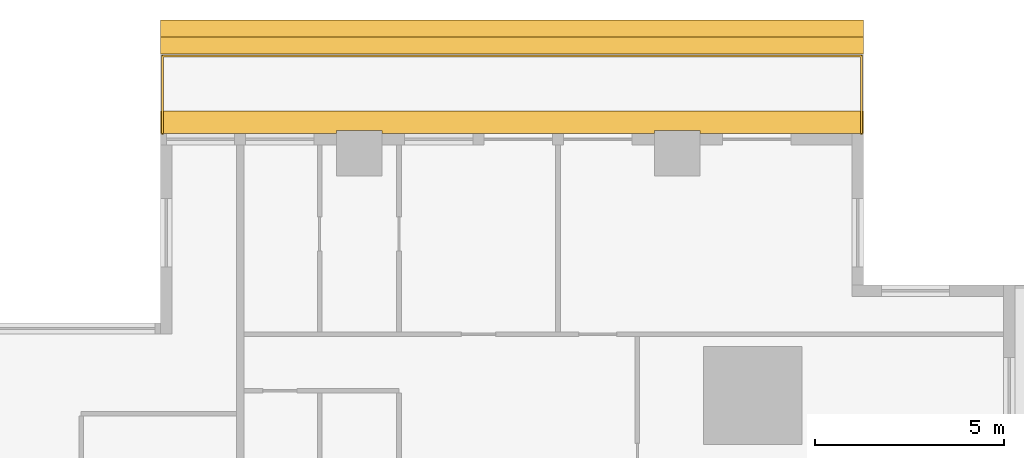
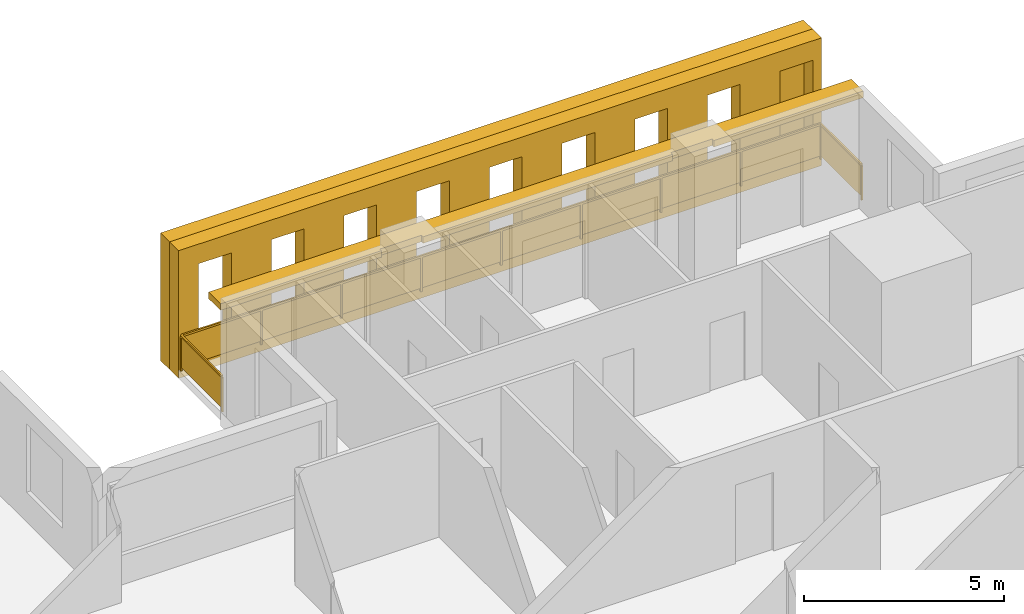
# One storey, part 16 of 16: 3 shading devices, 1 railing.
"""IFC4 building model written with IfcOpenShell, lengths in metres."""

from ifc_helpers import new_model, si_unit, direction, frame, origin, origin_2d, place, context, subcontext, project, spatial, polyline, rectangle, outline, extrude, material, layer, layer_set, type_object, element, save


model = new_model("IFC4")

# Units and contexts
model_context = context("Model", 3, precision=1e-05, world=origin(), true_north=direction((0.0, 1.0)))
body_context = subcontext(model_context, "Body", "Model", "MODEL_VIEW")
ifc_project = project(units=[si_unit("LENGTHUNIT", "METRE"), si_unit("AREAUNIT", "SQUARE_METRE"), si_unit("VOLUMEUNIT", "CUBIC_METRE"), si_unit("PLANEANGLEUNIT", "RADIAN"), si_unit("MASSUNIT", "GRAM", prefix="KILO")], contexts=[model_context])

# Site, building, storey
site_placement = place(None, origin())
site = spatial("IfcSite", under=ifc_project, at=site_placement, CompositionType="ELEMENT")
building_placement = place(site_placement, origin())
building = spatial("IfcBuilding", under=site, at=building_placement, Name="Khepri Terraces", CompositionType="ELEMENT")
storey_placement = place(building_placement, frame((0.0, 0.0, 137.699951171875)))
storey = spatial("IfcBuildingStorey", under=building, at=storey_placement, Name="L32", CompositionType="ELEMENT", Elevation=137.699951171875)

# Railing
ifc_material_1 = material(Name="Stainless steel grade 316", Category="steel")
railing_type = type_object("IfcRailingType", Name="GRD-BAL-1100", PredefinedType="GUARDRAIL", material=ifc_material_1)
railing_placement = place(storey_placement, frame((21.669921875, 25.719970703125, 0.0)))
element("IfcRailing", 1, at=railing_placement, inside=storey, type_object=railing_type, Name="Balcony guard L32 N", PredefinedType="GUARDRAIL", context=body_context, shape_type="SweptSolid", body=[
    extrude(rectangle(XDim=0.050048828125, YDim=0.06005859375, at=origin_2d()), frame((0.0, 0.0, 1.070068359375), z_axis=(0.0, 1.0, 0.0), x_axis=(-1.0, 0.0, 0.0)), (0.0, 0.0, 1.0), 2.050048828125),
    extrude(rectangle(XDim=2.0, YDim=0.011962890625, at=origin_2d()), frame((0.0, 1.02490234375, 0.10009765625), z_axis=(0.0, 0.0, 1.0), x_axis=(0.0, 1.0, 0.0)), (0.0, 0.0, 1.0), 0.93994140625),
    extrude(rectangle(XDim=0.050048828125, YDim=0.06005859375, at=origin_2d()), frame((0.0, 2.050048828125, 1.070068359375), z_axis=(-1.0, 0.0, 0.0), x_axis=(0.0, -1.0, 0.0)), (0.0, 0.0, 1.0), 18.469970703125),
    extrude(rectangle(XDim=2.2587890625, YDim=0.011962890625, at=origin_2d()), frame((-1.154296875, 2.050048828125, 0.10009765625), z_axis=(0.0, 0.0, 1.0), x_axis=(-1.0, 0.0, 0.0)), (0.0, 0.0, 1.0), 0.93994140625),
    extrude(rectangle(XDim=2.2587890625, YDim=0.011962890625, at=origin_2d()), frame((-3.463134765625, 2.050048828125, 0.10009765625), z_axis=(0.0, 0.0, 1.0), x_axis=(-1.0, 0.0, 0.0)), (0.0, 0.0, 1.0), 0.93994140625),
    extrude(rectangle(XDim=2.2587890625, YDim=0.011962890625, at=origin_2d()), frame((-5.77197265625, 2.050048828125, 0.10009765625), z_axis=(0.0, 0.0, 1.0), x_axis=(-1.0, 0.0, 0.0)), (0.0, 0.0, 1.0), 0.93994140625),
    extrude(rectangle(XDim=2.2587890625, YDim=0.011962890625, at=origin_2d()), frame((-8.08056640625, 2.050048828125, 0.10009765625), z_axis=(0.0, 0.0, 1.0), x_axis=(-1.0, 0.0, 0.0)), (0.0, 0.0, 1.0), 0.93994140625),
    extrude(rectangle(XDim=2.2587890625, YDim=0.011962890625, at=origin_2d()), frame((-10.389404296875, 2.050048828125, 0.10009765625), z_axis=(0.0, 0.0, 1.0), x_axis=(-1.0, 0.0, 0.0)), (0.0, 0.0, 1.0), 0.93994140625),
    extrude(rectangle(XDim=2.2587890625, YDim=0.011962890625, at=origin_2d()), frame((-12.697998046875, 2.050048828125, 0.10009765625), z_axis=(0.0, 0.0, 1.0), x_axis=(-1.0, 0.0, 0.0)), (0.0, 0.0, 1.0), 0.93994140625),
    extrude(rectangle(XDim=2.2587890625, YDim=0.011962890625, at=origin_2d()), frame((-15.0068359375, 2.050048828125, 0.10009765625), z_axis=(0.0, 0.0, 1.0), x_axis=(-1.0, 0.0, 0.0)), (0.0, 0.0, 1.0), 0.93994140625),
    extrude(rectangle(XDim=2.2587890625, YDim=0.011962890625, at=origin_2d()), frame((-17.315673828125, 2.050048828125, 0.10009765625), z_axis=(0.0, 0.0, 1.0), x_axis=(-1.0, 0.0, 0.0)), (0.0, 0.0, 1.0), 0.93994140625),
    extrude(rectangle(XDim=0.050048828125, YDim=0.06005859375, at=origin_2d()), frame((-18.469970703125, 2.050048828125, 1.070068359375), z_axis=(0.0, -1.0, 0.0), x_axis=(1.0, 0.0, 0.0)), (0.0, 0.0, 1.0), 2.050048828125),
    extrude(rectangle(XDim=2.0, YDim=0.011962890625, at=origin_2d()), frame((-18.469970703125, 1.02490234375, 0.10009765625), z_axis=(0.0, 0.0, 1.0), x_axis=(0.0, -1.0, 0.0)), (0.0, 0.0, 1.0), 0.93994140625),
    extrude(rectangle(XDim=0.050048828125, YDim=0.050048828125, at=origin_2d()), origin(), (0.0, 0.0, 1.0), 1.0400390625),
    extrude(rectangle(XDim=0.050048828125, YDim=0.050048828125, at=origin_2d()), frame((0.0, 2.050048828125, 0.0)), (0.0, 0.0, 1.0), 1.0400390625),
    extrude(rectangle(XDim=0.050048828125, YDim=0.050048828125, at=origin_2d()), frame((-2.308837890625, 2.050048828125, 0.0)), (0.0, 0.0, 1.0), 1.0400390625),
    extrude(rectangle(XDim=0.050048828125, YDim=0.050048828125, at=origin_2d()), frame((-4.617431640625, 2.050048828125, 0.0)), (0.0, 0.0, 1.0), 1.0400390625),
    extrude(rectangle(XDim=0.050048828125, YDim=0.050048828125, at=origin_2d()), frame((-6.92626953125, 2.050048828125, 0.0)), (0.0, 0.0, 1.0), 1.0400390625),
    extrude(rectangle(XDim=0.050048828125, YDim=0.050048828125, at=origin_2d()), frame((-9.23486328125, 2.050048828125, 0.0)), (0.0, 0.0, 1.0), 1.0400390625),
    extrude(rectangle(XDim=0.050048828125, YDim=0.050048828125, at=origin_2d()), frame((-11.543701171875, 2.050048828125, 0.0)), (0.0, 0.0, 1.0), 1.0400390625),
    extrude(rectangle(XDim=0.050048828125, YDim=0.050048828125, at=origin_2d()), frame((-13.8525390625, 2.050048828125, 0.0)), (0.0, 0.0, 1.0), 1.0400390625),
    extrude(rectangle(XDim=0.050048828125, YDim=0.050048828125, at=origin_2d()), frame((-16.1611328125, 2.050048828125, 0.0)), (0.0, 0.0, 1.0), 1.0400390625),
    extrude(rectangle(XDim=0.050048828125, YDim=0.050048828125, at=origin_2d()), frame((-18.469970703125, 2.050048828125, 0.0)), (0.0, 0.0, 1.0), 1.0400390625),
    extrude(rectangle(XDim=0.050048828125, YDim=0.050048828125, at=origin_2d()), frame((-18.469970703125, 0.0, 0.0)), (0.0, 0.0, 1.0), 1.0400390625),
])

# Shading devices
ifc_material_2 = material(Name="Precast concrete C50/60 warm stone", Category="masonry")
shading_device_type_1 = type_object("IfcShadingDeviceType", Name="SCR-CELL-INNER-450", PredefinedType="USERDEFINED", material=ifc_material_2)
shading_device_1_placement = place(storey_placement, frame((21.719970703125, 27.820068359375, -0.25), z_axis=(0.0, 1.0, 0.0), x_axis=(-1.0, 0.0, 0.0)))
element("IfcShadingDevice", 2, at=shading_device_1_placement, inside=storey, type_object=shading_device_type_1, Name="Cell screen L32 N in", ObjectType="SCREEN", PredefinedType="USERDEFINED", context=body_context, shape_type="SweptSolid", body=[
    extrude(outline(polyline([(0.0, 0.0), (18.570068359375, 0.0), (18.570068359375, 3.89990234375), (0.0, 3.89990234375), (0.0, 0.0)]), holes=[polyline([(0.24755859375, 0.699951171875), (1.1923828125, 0.699951171875), (1.1923828125, 3.300048828125), (0.24755859375, 3.300048828125), (0.24755859375, 0.699951171875)]), polyline([(2.347412109375, 0.699951171875), (3.29248046875, 0.699951171875), (3.29248046875, 3.300048828125), (2.347412109375, 3.300048828125), (2.347412109375, 0.699951171875)]), polyline([(4.447509765625, 0.699951171875), (5.392578125, 0.699951171875), (5.392578125, 3.300048828125), (4.447509765625, 3.300048828125), (4.447509765625, 0.699951171875)]), polyline([(6.547607421875, 0.699951171875), (7.492431640625, 0.699951171875), (7.492431640625, 3.300048828125), (6.547607421875, 3.300048828125), (6.547607421875, 0.699951171875)]), polyline([(8.6474609375, 0.699951171875), (9.592529296875, 0.699951171875), (9.592529296875, 3.300048828125), (8.6474609375, 3.300048828125), (8.6474609375, 0.699951171875)]), polyline([(10.74755859375, 0.699951171875), (11.6923828125, 0.699951171875), (11.6923828125, 3.300048828125), (10.74755859375, 3.300048828125), (10.74755859375, 0.699951171875)]), polyline([(12.847412109375, 0.699951171875), (13.79248046875, 0.699951171875), (13.79248046875, 3.300048828125), (12.847412109375, 3.300048828125), (12.847412109375, 0.699951171875)]), polyline([(14.947509765625, 0.699951171875), (15.892578125, 0.699951171875), (15.892578125, 3.300048828125), (14.947509765625, 3.300048828125), (14.947509765625, 0.699951171875)]), polyline([(17.047607421875, 0.699951171875), (17.992431640625, 0.699951171875), (17.992431640625, 3.300048828125), (17.047607421875, 3.300048828125), (17.047607421875, 0.699951171875)])]), origin(), (0.0, 0.0, 1.0), 0.449951171875),
])
shading_device_type_2 = type_object("IfcShadingDeviceType", Name="SCR-CELL-OUTER-450", PredefinedType="USERDEFINED", material=ifc_material_2)
shading_device_2_placement = place(storey_placement, frame((21.719970703125, 28.27001953125, -0.25), z_axis=(0.0, 1.0, 0.0), x_axis=(-1.0, 0.0, 0.0)))
element("IfcShadingDevice", 3, at=shading_device_2_placement, inside=storey, type_object=shading_device_type_2, Name="Cell screen L32 N out", ObjectType="SCREEN", PredefinedType="USERDEFINED", context=body_context, shape_type="SweptSolid", body=[
    extrude(outline(polyline([(0.0, 0.0), (18.570068359375, 0.0), (18.570068359375, 3.89990234375), (0.0, 3.89990234375), (0.0, 0.0)]), holes=[polyline([(1.99755859375, 0.449951171875), (3.642578125, 0.449951171875), (3.642578125, 3.550048828125), (1.99755859375, 3.550048828125), (1.99755859375, 0.449951171875)]), polyline([(4.097412109375, 0.449951171875), (5.742431640625, 0.449951171875), (5.742431640625, 3.550048828125), (4.097412109375, 3.550048828125), (4.097412109375, 0.449951171875)]), polyline([(6.197509765625, 0.449951171875), (7.842529296875, 0.449951171875), (7.842529296875, 3.550048828125), (6.197509765625, 3.550048828125), (6.197509765625, 0.449951171875)]), polyline([(8.297607421875, 0.449951171875), (9.9423828125, 0.449951171875), (9.9423828125, 3.550048828125), (8.297607421875, 3.550048828125), (8.297607421875, 0.449951171875)]), polyline([(10.3974609375, 0.449951171875), (12.04248046875, 0.449951171875), (12.04248046875, 3.550048828125), (10.3974609375, 3.550048828125), (10.3974609375, 0.449951171875)]), polyline([(12.49755859375, 0.449951171875), (14.142578125, 0.449951171875), (14.142578125, 3.550048828125), (12.49755859375, 3.550048828125), (12.49755859375, 0.449951171875)]), polyline([(14.597412109375, 0.449951171875), (16.242431640625, 0.449951171875), (16.242431640625, 3.550048828125), (14.597412109375, 3.550048828125), (14.597412109375, 0.449951171875)]), polyline([(16.697509765625, 0.449951171875), (18.342529296875, 0.449951171875), (18.342529296875, 3.550048828125), (16.697509765625, 3.550048828125), (16.697509765625, 0.449951171875)])]), origin(), (0.0, 0.0, 1.0), 0.449951171875),
])
ifc_layer = layer(ifc_material_2, 0.199951171875, Name="Precast concrete C50/60 warm stone", Category="masonry")
ifc_layer_set = layer_set([ifc_layer], Name="Precast concrete C50/60 warm stone")
shading_device_type_3 = type_object("IfcShadingDeviceType", Name="SSH-BAND-STONE-200-N", PredefinedType="USERDEFINED", material=ifc_layer_set)
shading_device_3_placement = place(storey_placement, frame((0.0, 0.0, 3.10009765625)))
element("IfcShadingDevice", 4, at=shading_device_3_placement, inside=storey, type_object=shading_device_type_3, Name="Sunshade band L32 N", ObjectType="SUNSHADE", PredefinedType="USERDEFINED", context=body_context, shape_type="SweptSolid", body=[
    extrude(outline(polyline([(17.39990234375, 25.719970703125), (21.719970703125, 25.719970703125), (21.719970703125, 26.320068359375), (3.14990234375, 26.320068359375), (3.14990234375, 25.719970703125), (7.800048828125, 25.719970703125), (7.800048828125, 25.800048828125), (9.0, 25.800048828125), (9.0, 25.719970703125), (16.199951171875, 25.719970703125), (16.199951171875, 25.800048828125), (17.39990234375, 25.800048828125), (17.39990234375, 25.719970703125)])), origin(), (0.0, 0.0, 1.0), 0.199951171875),
])

save(model, "model.ifc")
